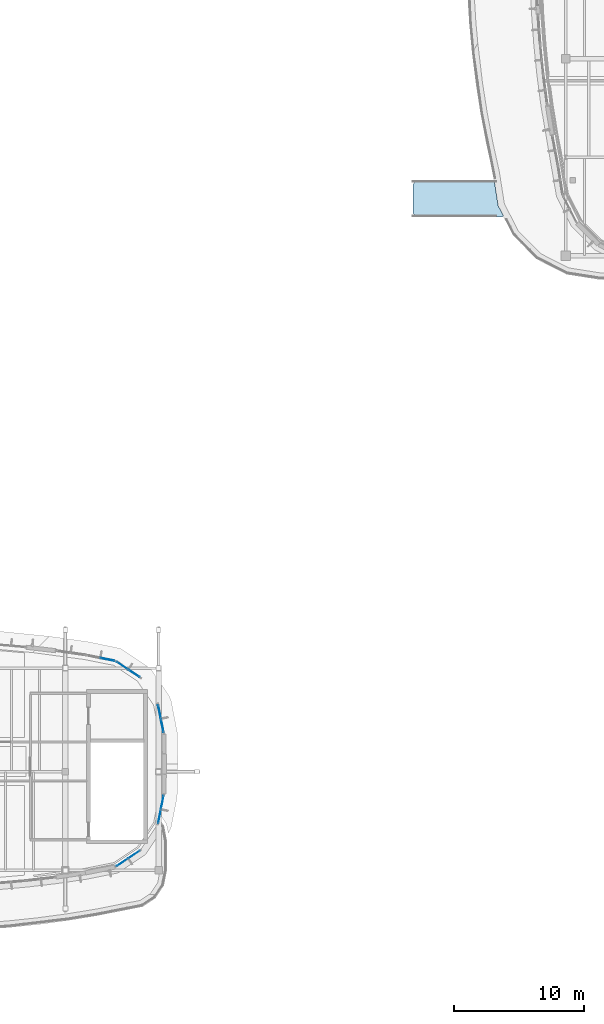
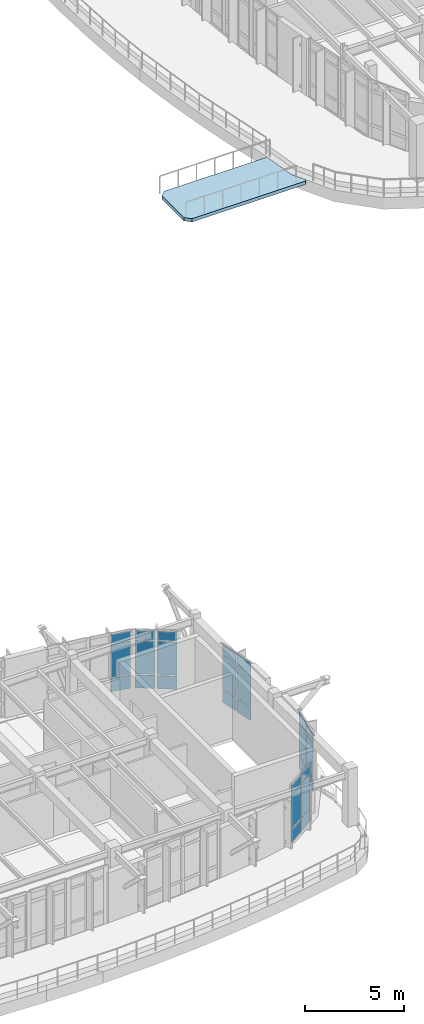
# One storey, part 65 of 105: 27 plates, 1 slab, 5 elements without a shape of their own.
"""IFC4 building model written with IfcOpenShell, lengths in metres."""

from ifc_helpers import new_model, si_unit, direction, frame, origin, origin_2d, place, context, subcontext, project, spatial, polyline, rectangle, outline, extrude, material, layer, layer_set, type_object, element, aggregate, save


model = new_model("IFC4")

# Units and contexts
model_context = context("Model", 3, precision=1e-05, world=origin(), true_north=direction((0.0, 1.0)))
body_context = subcontext(model_context, "Body", "Model", "MODEL_VIEW")
ifc_project = project(units=[si_unit("LENGTHUNIT", "METRE"), si_unit("AREAUNIT", "SQUARE_METRE"), si_unit("VOLUMEUNIT", "CUBIC_METRE"), si_unit("PLANEANGLEUNIT", "RADIAN"), si_unit("MASSUNIT", "GRAM", prefix="KILO")], contexts=[model_context])

# Site, building, storey
site_placement = place(None, origin())
site = spatial("IfcSite", under=ifc_project, at=site_placement, CompositionType="ELEMENT")
building_placement = place(site_placement, origin())
building = spatial("IfcBuilding", under=site, at=building_placement, Name="Corveleigh Park Community Centre", CompositionType="ELEMENT")
storey_placement = place(building_placement, frame((0.0, 0.0, 8.699951171875)))
storey = spatial("IfcBuildingStorey", under=building, at=storey_placement, Name="L02", CompositionType="ELEMENT", Elevation=8.699951171875)

# Curtain wall, plates
ifc_material_1 = material(Name="Anodised aluminium 6063-T6", Category="aluminium")
curtain_wall_type = type_object("IfcCurtainWallType", Name="CW-SYS-V3-UPP", PredefinedType="NOTDEFINED", material=ifc_material_1)
curtain_wall_1_placement = place(storey_placement, origin())
curtain_wall_1 = element("IfcCurtainWall", 1, at=curtain_wall_1_placement, inside=storey, type_object=curtain_wall_type, Name="V3 L02 Curtain Wall 339", PredefinedType="NOTDEFINED")
ifc_material_2 = material(Name="Low-E double glazing", Category="glass")
ifc_layer_1 = layer(ifc_material_2, 0.028076171875, Name="Low-E double glazing", Category="glass")
ifc_layer_set_1 = layer_set([ifc_layer_1], Name="Low-E double glazing")
plate_type_1 = type_object("IfcPlateType", Name="CWP-GLZ-28", PredefinedType="CURTAIN_PANEL", material=ifc_layer_set_1)
plate_1_placement = place(storey_placement, frame((106.105224609375, 12.421142578125, 0.074951171875), z_axis=(0.0, 0.0, 1.0), x_axis=(-0.831711453149, -0.55520812197, 0.0)))
plate_1 = element("IfcPlate", 2, at=plate_1_placement, type_object=plate_type_1, Name="CW06 panel 1.1", PredefinedType="CURTAIN_PANEL", context=body_context, shape_type="SweptSolid", body=[
    extrude(rectangle(XDim=1.030517578125, YDim=0.028076171875, at=origin_2d()), origin(), (0.0, 0.0, 1.0), 0.78759765625),
])
plate_2_placement = place(storey_placement, frame((106.105224609375, 12.421142578125, 0.9375), z_axis=(0.0, 0.0, 1.0), x_axis=(-0.831711453149, -0.55520812197, 0.0)))
plate_2 = element("IfcPlate", 3, at=plate_2_placement, type_object=plate_type_1, Name="CW06 panel 1.2", PredefinedType="CURTAIN_PANEL", context=body_context, shape_type="SweptSolid", body=[
    extrude(rectangle(XDim=1.030517578125, YDim=0.028076171875, at=origin_2d()), origin(), (0.0, 0.0, 1.0), 2.0390625),
])
plate_3_placement = place(storey_placement, frame((106.105224609375, 12.421142578125, 3.051513671875), z_axis=(0.0, 0.0, 1.0), x_axis=(-0.831711453149, -0.55520812197, 0.0)))
plate_3 = element("IfcPlate", 4, at=plate_3_placement, type_object=plate_type_1, Name="CW06 panel 1.3", PredefinedType="CURTAIN_PANEL", context=body_context, shape_type="SweptSolid", body=[
    extrude(rectangle(XDim=1.030517578125, YDim=0.028076171875, at=origin_2d()), origin(), (0.0, 0.0, 1.0), 0.53759765625),
])
plate_4_placement = place(storey_placement, frame((105.189697265625, 11.81005859375, 0.074951171875), z_axis=(0.0, 0.0, 1.0), x_axis=(-0.831711453149, -0.55520812197, 0.0)))
plate_4 = element("IfcPlate", 5, at=plate_4_placement, type_object=plate_type_1, Name="CW06 panel 2.1", PredefinedType="CURTAIN_PANEL", context=body_context, shape_type="SweptSolid", body=[
    extrude(rectangle(XDim=1.030517578125, YDim=0.028076171875, at=origin_2d()), origin(), (0.0, 0.0, 1.0), 0.78759765625),
])
plate_5_placement = place(storey_placement, frame((105.189697265625, 11.81005859375, 0.9375), z_axis=(0.0, 0.0, 1.0), x_axis=(-0.831711453149, -0.55520812197, 0.0)))
plate_5 = element("IfcPlate", 6, at=plate_5_placement, type_object=plate_type_1, Name="CW06 panel 2.2", PredefinedType="CURTAIN_PANEL", context=body_context, shape_type="SweptSolid", body=[
    extrude(rectangle(XDim=1.030517578125, YDim=0.028076171875, at=origin_2d()), origin(), (0.0, 0.0, 1.0), 2.0390625),
])
plate_6_placement = place(storey_placement, frame((105.189697265625, 11.81005859375, 3.051513671875), z_axis=(0.0, 0.0, 1.0), x_axis=(-0.831711453149, -0.55520812197, 0.0)))
plate_6 = element("IfcPlate", 7, at=plate_6_placement, type_object=plate_type_1, Name="CW06 panel 2.3", PredefinedType="CURTAIN_PANEL", context=body_context, shape_type="SweptSolid", body=[
    extrude(rectangle(XDim=1.030517578125, YDim=0.028076171875, at=origin_2d()), origin(), (0.0, 0.0, 1.0), 0.53759765625),
])
aggregate(curtain_wall_1, [plate_1, plate_2, plate_3, plate_4, plate_5, plate_6])

curtain_wall_2_placement = place(storey_placement, origin())
curtain_wall_2 = element("IfcCurtainWall", 8, at=curtain_wall_2_placement, inside=storey, type_object=curtain_wall_type, Name="V3 L02 Curtain Wall 340", PredefinedType="NOTDEFINED")
plate_7_placement = place(storey_placement, frame((108.27978515625, 16.444091796875, 0.080078125), z_axis=(0.0, 0.0, 1.0), x_axis=(-0.194772230896, -0.980848499041, 0.0)))
plate_7 = element("IfcPlate", 9, at=plate_7_placement, type_object=plate_type_1, Name="CW06 panel 1.1", PredefinedType="CURTAIN_PANEL", context=body_context, shape_type="SweptSolid", body=[
    extrude(rectangle(XDim=1.032470703125, YDim=0.028076171875, at=origin_2d()), origin(), (0.0, 0.0, 1.0), 0.780029296875),
])
plate_8_placement = place(storey_placement, frame((108.27978515625, 16.444091796875, 0.93994140625), z_axis=(0.0, 0.0, 1.0), x_axis=(-0.194772230896, -0.980848499041, 0.0)))
plate_8 = element("IfcPlate", 10, at=plate_8_placement, type_object=plate_type_1, Name="CW06 panel 1.2", PredefinedType="CURTAIN_PANEL", context=body_context, shape_type="SweptSolid", body=[
    extrude(rectangle(XDim=1.032470703125, YDim=0.028076171875, at=origin_2d()), origin(), (0.0, 0.0, 1.0), 2.033935546875),
])
plate_9_placement = place(storey_placement, frame((108.27978515625, 16.444091796875, 3.05419921875), z_axis=(0.0, 0.0, 1.0), x_axis=(-0.194772230896, -0.980848499041, 0.0)))
plate_9 = element("IfcPlate", 11, at=plate_9_placement, type_object=plate_type_1, Name="CW06 panel 1.3", PredefinedType="CURTAIN_PANEL", context=body_context, shape_type="SweptSolid", body=[
    extrude(rectangle(XDim=1.032470703125, YDim=0.028076171875, at=origin_2d()), origin(), (0.0, 0.0, 1.0), 0.530029296875),
])
plate_10_placement = place(storey_placement, frame((108.064208984375, 15.35791015625, 0.080078125), z_axis=(0.0, 0.0, 1.0), x_axis=(-0.194772230896, -0.980848499041, 0.0)))
plate_10 = element("IfcPlate", 12, at=plate_10_placement, type_object=plate_type_1, Name="CW06 panel 2.1", PredefinedType="CURTAIN_PANEL", context=body_context, shape_type="SweptSolid", body=[
    extrude(rectangle(XDim=1.032470703125, YDim=0.028076171875, at=origin_2d()), origin(), (0.0, 0.0, 1.0), 0.780029296875),
])
plate_11_placement = place(storey_placement, frame((108.064208984375, 15.35791015625, 0.93994140625), z_axis=(0.0, 0.0, 1.0), x_axis=(-0.194772230896, -0.980848499041, 0.0)))
plate_11 = element("IfcPlate", 13, at=plate_11_placement, type_object=plate_type_1, Name="CW06 panel 2.2", PredefinedType="CURTAIN_PANEL", context=body_context, shape_type="SweptSolid", body=[
    extrude(rectangle(XDim=1.032470703125, YDim=0.028076171875, at=origin_2d()), origin(), (0.0, 0.0, 1.0), 2.033935546875),
])
plate_12_placement = place(storey_placement, frame((108.064208984375, 15.35791015625, 3.05419921875), z_axis=(0.0, 0.0, 1.0), x_axis=(-0.194772230896, -0.980848499041, 0.0)))
plate_12 = element("IfcPlate", 14, at=plate_12_placement, type_object=plate_type_1, Name="CW06 panel 2.3", PredefinedType="CURTAIN_PANEL", context=body_context, shape_type="SweptSolid", body=[
    extrude(rectangle(XDim=1.032470703125, YDim=0.028076171875, at=origin_2d()), origin(), (0.0, 0.0, 1.0), 0.530029296875),
])
aggregate(curtain_wall_2, [plate_7, plate_8, plate_9, plate_10, plate_11, plate_12])

curtain_wall_3_placement = place(storey_placement, origin())
curtain_wall_3 = element("IfcCurtainWall", 15, at=curtain_wall_3_placement, inside=storey, type_object=curtain_wall_type, Name="V3 L02 Curtain Wall 341", PredefinedType="NOTDEFINED")
ifc_layer_2 = layer(ifc_material_2, 0.031982421875, Name="Low-E double glazing", Category="glass")
ifc_layer_set_2 = layer_set([ifc_layer_2], Name="Low-E double glazing")
plate_type_2 = type_object("IfcPlateType", Name="CWP-GLZ-32", PredefinedType="CURTAIN_PANEL", material=ifc_layer_set_2)
plate_13_placement = place(storey_placement, frame((108.064453125, 23.44091796875, 0.06005859375), z_axis=(0.0, 0.0, 1.0), x_axis=(0.194772230896, -0.980848499041, 0.0)))
plate_13 = element("IfcPlate", 16, at=plate_13_placement, type_object=plate_type_2, Name="CW06 panel 1.1", PredefinedType="CURTAIN_PANEL", context=body_context, shape_type="SweptSolid", body=[
    extrude(rectangle(XDim=1.02490234375, YDim=0.031982421875, at=origin_2d()), origin(), (0.0, 0.0, 1.0), 0.81005859375),
])
plate_14_placement = place(storey_placement, frame((108.064453125, 23.44091796875, 0.93017578125), z_axis=(0.0, 0.0, 1.0), x_axis=(0.194772230896, -0.980848499041, 0.0)))
plate_14 = element("IfcPlate", 17, at=plate_14_placement, type_object=plate_type_2, Name="CW06 panel 1.2", PredefinedType="CURTAIN_PANEL", context=body_context, shape_type="SweptSolid", body=[
    extrude(rectangle(XDim=1.02490234375, YDim=0.031982421875, at=origin_2d()), origin(), (0.0, 0.0, 1.0), 2.053955078125),
])
plate_15_placement = place(storey_placement, frame((108.064453125, 23.44091796875, 3.0439453125), z_axis=(0.0, 0.0, 1.0), x_axis=(0.194772230896, -0.980848499041, 0.0)))
plate_15 = element("IfcPlate", 18, at=plate_15_placement, type_object=plate_type_2, Name="CW06 panel 1.3", PredefinedType="CURTAIN_PANEL", context=body_context, shape_type="SweptSolid", body=[
    extrude(rectangle(XDim=1.02490234375, YDim=0.031982421875, at=origin_2d()), origin(), (0.0, 0.0, 1.0), 0.56005859375),
])
plate_16_placement = place(storey_placement, frame((108.279541015625, 22.357177734375, 0.06005859375), z_axis=(0.0, 0.0, 1.0), x_axis=(0.194772230896, -0.980848499041, 0.0)))
plate_16 = element("IfcPlate", 19, at=plate_16_placement, type_object=plate_type_2, Name="CW06 panel 2.1", PredefinedType="CURTAIN_PANEL", context=body_context, shape_type="SweptSolid", body=[
    extrude(rectangle(XDim=1.02490234375, YDim=0.031982421875, at=origin_2d()), origin(), (0.0, 0.0, 1.0), 0.81005859375),
])
plate_17_placement = place(storey_placement, frame((108.279541015625, 22.357177734375, 0.93017578125), z_axis=(0.0, 0.0, 1.0), x_axis=(0.194772230896, -0.980848499041, 0.0)))
plate_17 = element("IfcPlate", 20, at=plate_17_placement, type_object=plate_type_2, Name="CW06 panel 2.2", PredefinedType="CURTAIN_PANEL", context=body_context, shape_type="SweptSolid", body=[
    extrude(rectangle(XDim=1.02490234375, YDim=0.031982421875, at=origin_2d()), origin(), (0.0, 0.0, 1.0), 2.053955078125),
])
plate_18_placement = place(storey_placement, frame((108.279541015625, 22.357177734375, 3.0439453125), z_axis=(0.0, 0.0, 1.0), x_axis=(0.194772230896, -0.980848499041, 0.0)))
plate_18 = element("IfcPlate", 21, at=plate_18_placement, type_object=plate_type_2, Name="CW06 panel 2.3", PredefinedType="CURTAIN_PANEL", context=body_context, shape_type="SweptSolid", body=[
    extrude(rectangle(XDim=1.02490234375, YDim=0.031982421875, at=origin_2d()), origin(), (0.0, 0.0, 1.0), 0.56005859375),
])
aggregate(curtain_wall_3, [plate_13, plate_14, plate_15, plate_16, plate_17, plate_18])

curtain_wall_4_placement = place(storey_placement, origin())
curtain_wall_4 = element("IfcCurtainWall", 22, at=curtain_wall_4_placement, inside=storey, type_object=curtain_wall_type, Name="V3 L02 Curtain Wall 342", PredefinedType="NOTDEFINED")
plate_19_placement = place(storey_placement, frame((105.19287109375, 26.988037109375, 0.06494140625), z_axis=(0.0, 0.0, 1.0), x_axis=(0.831711453149, -0.55520812197, 0.0)))
plate_19 = element("IfcPlate", 23, at=plate_19_placement, type_object=plate_type_2, Name="CW06 panel 1.1", PredefinedType="CURTAIN_PANEL", context=body_context, shape_type="SweptSolid", body=[
    extrude(rectangle(XDim=1.008056640625, YDim=0.031982421875, at=origin_2d()), origin(), (0.0, 0.0, 1.0), 0.802490234375),
])
plate_20_placement = place(storey_placement, frame((105.19287109375, 26.988037109375, 0.9326171875), z_axis=(0.0, 0.0, 1.0), x_axis=(0.831711453149, -0.55520812197, 0.0)))
plate_20 = element("IfcPlate", 24, at=plate_20_placement, type_object=plate_type_2, Name="CW06 panel 1.2", PredefinedType="CURTAIN_PANEL", context=body_context, shape_type="SweptSolid", body=[
    extrude(rectangle(XDim=1.008056640625, YDim=0.031982421875, at=origin_2d()), origin(), (0.0, 0.0, 1.0), 2.049072265625),
])
plate_21_placement = place(storey_placement, frame((105.19287109375, 26.988037109375, 3.04638671875), z_axis=(0.0, 0.0, 1.0), x_axis=(0.831711453149, -0.55520812197, 0.0)))
plate_21 = element("IfcPlate", 25, at=plate_21_placement, type_object=plate_type_2, Name="CW06 panel 1.3", PredefinedType="CURTAIN_PANEL", context=body_context, shape_type="SweptSolid", body=[
    extrude(rectangle(XDim=1.008056640625, YDim=0.031982421875, at=origin_2d()), origin(), (0.0, 0.0, 1.0), 0.552490234375),
])
plate_22_placement = place(storey_placement, frame((106.10205078125, 26.381103515625, 0.06494140625), z_axis=(0.0, 0.0, 1.0), x_axis=(0.831711453149, -0.55520812197, 0.0)))
plate_22 = element("IfcPlate", 26, at=plate_22_placement, type_object=plate_type_2, Name="CW06 panel 2.1", PredefinedType="CURTAIN_PANEL", context=body_context, shape_type="SweptSolid", body=[
    extrude(rectangle(XDim=1.008056640625, YDim=0.031982421875, at=origin_2d()), origin(), (0.0, 0.0, 1.0), 0.802490234375),
])
plate_23_placement = place(storey_placement, frame((106.10205078125, 26.381103515625, 0.9326171875), z_axis=(0.0, 0.0, 1.0), x_axis=(0.831711453149, -0.55520812197, 0.0)))
plate_23 = element("IfcPlate", 27, at=plate_23_placement, type_object=plate_type_2, Name="CW06 panel 2.2", PredefinedType="CURTAIN_PANEL", context=body_context, shape_type="SweptSolid", body=[
    extrude(rectangle(XDim=1.008056640625, YDim=0.031982421875, at=origin_2d()), origin(), (0.0, 0.0, 1.0), 2.049072265625),
])
plate_24_placement = place(storey_placement, frame((106.10205078125, 26.381103515625, 3.04638671875), z_axis=(0.0, 0.0, 1.0), x_axis=(0.831711453149, -0.55520812197, 0.0)))
plate_24 = element("IfcPlate", 28, at=plate_24_placement, type_object=plate_type_2, Name="CW06 panel 2.3", PredefinedType="CURTAIN_PANEL", context=body_context, shape_type="SweptSolid", body=[
    extrude(rectangle(XDim=1.008056640625, YDim=0.031982421875, at=origin_2d()), origin(), (0.0, 0.0, 1.0), 0.552490234375),
])
aggregate(curtain_wall_4, [plate_19, plate_20, plate_21, plate_22, plate_23, plate_24])

curtain_wall_5_placement = place(storey_placement, origin())
curtain_wall_5 = element("IfcCurtainWall", 29, at=curtain_wall_5_placement, inside=storey, type_object=curtain_wall_type, Name="V3 L02 Curtain Wall 343", PredefinedType="NOTDEFINED")
ifc_layer_3 = layer(ifc_material_2, 0.035888671875, Name="Low-E double glazing", Category="glass")
ifc_layer_set_3 = layer_set([ifc_layer_3], Name="Low-E double glazing")
plate_type_3 = type_object("IfcPlateType", Name="CWP-GLZ-36", PredefinedType="CURTAIN_PANEL", material=ifc_layer_set_3)
plate_25_placement = place(storey_placement, frame((104.04248046875, 27.464111328125, 0.070068359375), z_axis=(0.0, 0.0, 1.0), x_axis=(0.980813768445, -0.194947048267, 0.0)))
plate_25 = element("IfcPlate", 30, at=plate_25_placement, type_object=plate_type_3, Name="CW06 panel 2.1", PredefinedType="CURTAIN_PANEL", context=body_context, shape_type="SweptSolid", body=[
    extrude(rectangle(XDim=1.0615234375, YDim=0.035888671875, at=origin_2d()), origin(), (0.0, 0.0, 1.0), 0.794921875),
])
plate_26_placement = place(storey_placement, frame((104.04248046875, 27.464111328125, 0.93505859375), z_axis=(0.0, 0.0, 1.0), x_axis=(0.980813768445, -0.194947048267, 0.0)))
plate_26 = element("IfcPlate", 31, at=plate_26_placement, type_object=plate_type_3, Name="CW06 panel 2.2", PredefinedType="CURTAIN_PANEL", context=body_context, shape_type="SweptSolid", body=[
    extrude(rectangle(XDim=1.0615234375, YDim=0.035888671875, at=origin_2d()), origin(), (0.0, 0.0, 1.0), 2.0439453125),
])
plate_27_placement = place(storey_placement, frame((104.04248046875, 27.464111328125, 3.049072265625), z_axis=(0.0, 0.0, 1.0), x_axis=(0.980813768445, -0.194947048267, 0.0)))
plate_27 = element("IfcPlate", 32, at=plate_27_placement, type_object=plate_type_3, Name="CW06 panel 2.3", PredefinedType="CURTAIN_PANEL", context=body_context, shape_type="SweptSolid", body=[
    extrude(rectangle(XDim=1.0615234375, YDim=0.035888671875, at=origin_2d()), origin(), (0.0, 0.0, 1.0), 0.544921875),
])
aggregate(curtain_wall_5, [plate_25, plate_26, plate_27])

# Slab
ifc_material_3 = material(Name="Concrete C32/40", Category="concrete")
ifc_layer_4 = layer(ifc_material_3, 0.2041015625, Name="Concrete C32/40", Category="concrete")
ifc_layer_set_4 = layer_set([ifc_layer_4], Name="Concrete C32/40")
slab_type = type_object("IfcSlabType", Name="SLB-LND-204", PredefinedType="LANDING", material=ifc_layer_set_4)
slab_placement = place(storey_placement, frame((0.0, 0.0, -0.203857421875)))
element("IfcSlab", 33, at=slab_placement, inside=storey, type_object=slab_type, Name="East Roof Promenade V4 Terrace Link", PredefinedType="LANDING", context=body_context, shape_type="SweptSolid", body=[
    extrude(outline(polyline([(134.5, 61.60009765625), (127.89990234375, 61.60009765625), (127.60009765625, 61.89990234375), (127.60009765625, 64.10009765625), (127.89990234375, 64.39990234375), (133.8798828125, 64.39990234375), (134.18701171875, 62.4619140625), (134.5830078125, 61.68310546875), (134.5, 61.60009765625)])), origin(), (0.0, 0.0, 1.0), 0.203857421875),
])

save(model, "model.ifc")
